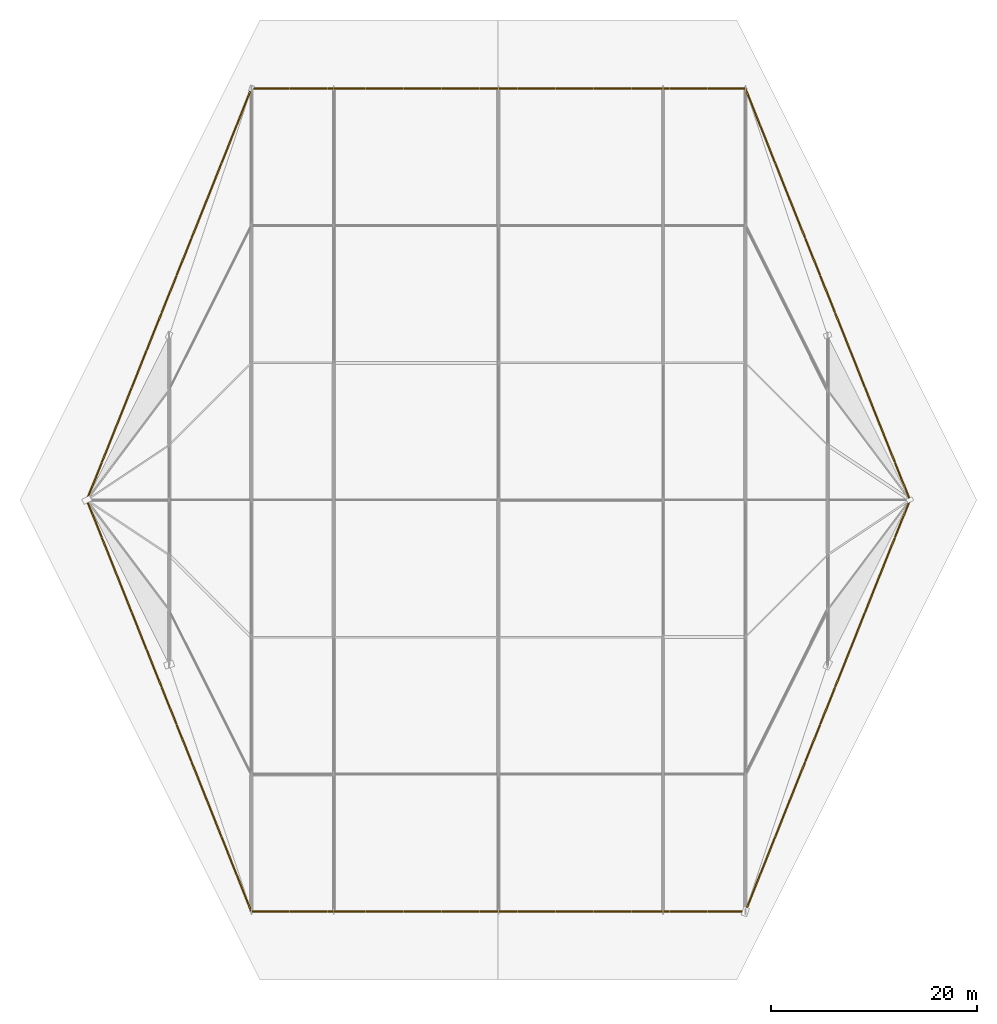
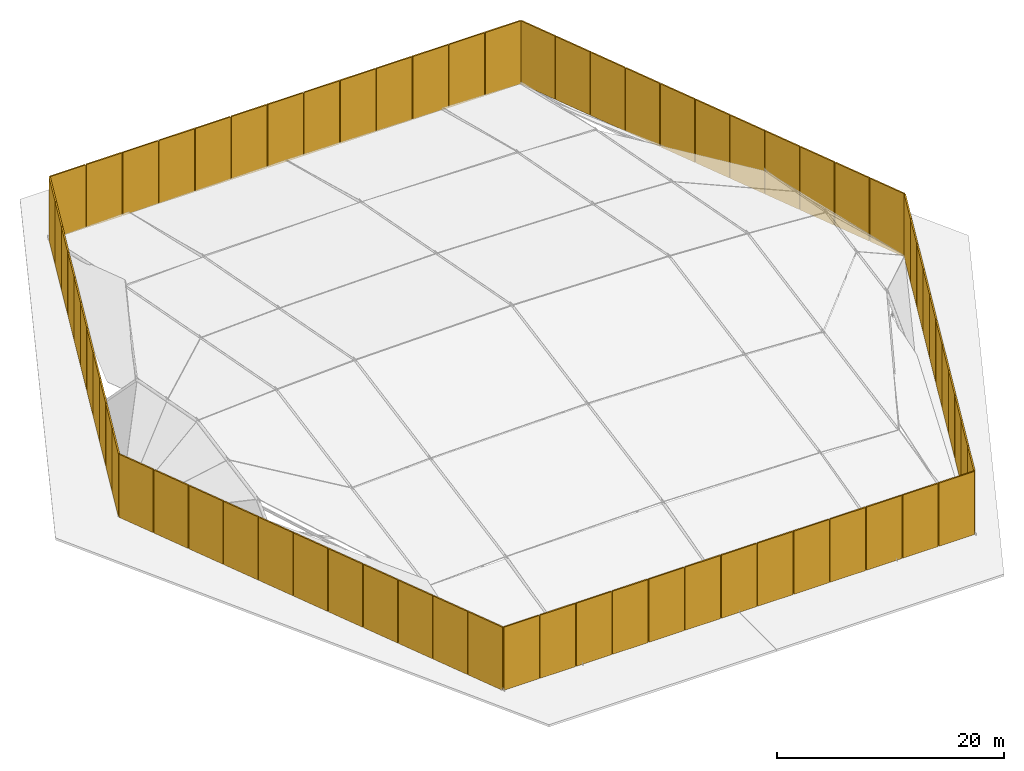
# One storey, part 30 of 30: 70 shading devices.
"""IFC4 building model written with IfcOpenShell, lengths in metres."""

from ifc_helpers import new_model, si_unit, direction, frame, origin, origin_2d, place, context, subcontext, project, spatial, rectangle, extrude, material, type_object, element, save


model = new_model("IFC4")

# Units and contexts
model_context = context("Model", 3, precision=1e-05, world=origin(), true_north=direction((0.0, 1.0)))
body_context = subcontext(model_context, "Body", "Model", "MODEL_VIEW")
ifc_project = project(units=[si_unit("LENGTHUNIT", "METRE"), si_unit("AREAUNIT", "SQUARE_METRE"), si_unit("VOLUMEUNIT", "CUBIC_METRE"), si_unit("PLANEANGLEUNIT", "RADIAN"), si_unit("MASSUNIT", "GRAM", prefix="KILO")], contexts=[model_context])

# Site, building, storey
site_placement = place(None, origin())
site = spatial("IfcSite", under=ifc_project, at=site_placement, CompositionType="ELEMENT")
building_placement = place(site_placement, origin())
building = spatial("IfcBuilding", under=site, at=building_placement, Name="Tazarka Park Arena", CompositionType="ELEMENT")
storey_placement = place(building_placement, frame((0.0, 0.0, 29.39990234375)))
storey = spatial("IfcBuildingStorey", under=building, at=storey_placement, Name="Roof", CompositionType="ELEMENT", Elevation=29.39990234375)

# Shading devices
ifc_material = material(Name="Perforated bronze-charcoal acoustic crown louvre")
shading_device_type = type_object("IfcShadingDeviceType", Name="SHD-03", PredefinedType="JALOUSIE", material=ifc_material)
for number, where, z_axis, x_axis, name in (
    (1, (65.84619140625, 24.0, -0.02001953125), (0.0, 0.0, 1.0), (1.0, 0.0, 0.0), "Crown Acoustic Louvre Screen 1-1"),
    (2, (69.53857421875, 24.0, -0.02001953125), (0.0, 0.0, 1.0), (1.0, 0.0, 0.0), "Crown Acoustic Louvre Screen 1-2"),
    (3, (73.230712890625, 24.0, -0.02001953125), (0.0, 0.0, 1.0), (1.0, 0.0, 0.0), "Crown Acoustic Louvre Screen 1-3"),
    (4, (76.923095703125, 24.0, -0.02001953125), (0.0, 0.0, 1.0), (1.0, 0.0, 0.0), "Crown Acoustic Louvre Screen 1-4"),
    (5, (80.615478515625, 24.0, -0.02001953125), (0.0, 0.0, 1.0), (1.0, 0.0, 0.0), "Crown Acoustic Louvre Screen 1-5"),
    (6, (84.3076171875, 24.0, -0.02001953125), (0.0, 0.0, 1.0), (1.0, 0.0, 0.0), "Crown Acoustic Louvre Screen 1-6"),
    (7, (88.0, 24.0, -0.02001953125), (0.0, 0.0, 1.0), (1.0, 0.0, 0.0), "Crown Acoustic Louvre Screen 1-7"),
    (8, (91.6923828125, 24.0, -0.02001953125), (0.0, 0.0, 1.0), (1.0, 0.0, 0.0), "Crown Acoustic Louvre Screen 1-8"),
    (9, (95.384521484375, 24.0, -0.02001953125), (0.0, 0.0, 1.0), (1.0, 0.0, 0.0), "Crown Acoustic Louvre Screen 1-9"),
    (10, (99.076904296875, 24.0, -0.02001953125), (0.0, 0.0, 1.0), (1.0, 0.0, 0.0), "Crown Acoustic Louvre Screen 1-10"),
    (11, (102.769287109375, 24.0, -0.02001953125), (0.0, 0.0, 1.0), (1.0, 0.0, 0.0), "Crown Acoustic Louvre Screen 1-11"),
    (12, (106.46142578125, 24.0, -0.02001953125), (0.0, 0.0, 1.0), (1.0, 0.0, 0.0), "Crown Acoustic Louvre Screen 1-12"),
    (13, (110.15380859375, 24.0, -0.02001953125), (0.0, 0.0, 1.0), (1.0, 0.0, 0.0), "Crown Acoustic Louvre Screen 1-13"),
):
    element("IfcShadingDevice", number, at=place(storey_placement, frame(where, z_axis=z_axis, x_axis=x_axis)), inside=storey, type_object=shading_device_type, Name=name, PredefinedType="JALOUSIE", context=body_context, shape_type="SweptSolid", body=[
        extrude(rectangle(XDim=3.6123046875, YDim=0.139892578125, at=origin_2d()), origin(), (0.0, 0.0, 1.0), 6.800048828125),
    ])
for number, where, z_axis, x_axis, name in (
    (14, (112.727294921875, 25.818115234375, -0.02001953125), (0.0, 0.0, 1.0), (0.37136783555, 0.928485826881, 0.0), "Crown Acoustic Louvre Screen 2-1"),
    (15, (114.181884765625, 29.45458984375, -0.02001953125), (0.0, 0.0, 1.0), (0.37136783555, 0.928485826881, 0.0), "Crown Acoustic Louvre Screen 2-2"),
    (16, (115.636474609375, 33.0908203125, -0.02001953125), (0.0, 0.0, 1.0), (0.37136783555, 0.928485826881, 0.0), "Crown Acoustic Louvre Screen 2-3"),
    (17, (117.0908203125, 36.727294921875, -0.02001953125), (0.0, 0.0, 1.0), (0.37136783555, 0.928485826881, 0.0), "Crown Acoustic Louvre Screen 2-4"),
    (18, (118.54541015625, 40.363525390625, -0.02001953125), (0.0, 0.0, 1.0), (0.37136783555, 0.928485826881, 0.0), "Crown Acoustic Louvre Screen 2-5"),
    (19, (120.0, 44.0, -0.02001953125), (0.0, 0.0, 1.0), (0.37136783555, 0.928485826881, 0.0), "Crown Acoustic Louvre Screen 2-6"),
    (20, (121.45458984375, 47.636474609375, -0.02001953125), (0.0, 0.0, 1.0), (0.37136783555, 0.928485826881, 0.0), "Crown Acoustic Louvre Screen 2-7"),
    (21, (122.9091796875, 51.272705078125, -0.02001953125), (0.0, 0.0, 1.0), (0.37136783555, 0.928485826881, 0.0), "Crown Acoustic Louvre Screen 2-8"),
    (22, (124.363525390625, 54.9091796875, -0.02001953125), (0.0, 0.0, 1.0), (0.37136783555, 0.928485826881, 0.0), "Crown Acoustic Louvre Screen 2-9"),
    (23, (125.818115234375, 58.54541015625, -0.02001953125), (0.0, 0.0, 1.0), (0.37136783555, 0.928485826881, 0.0), "Crown Acoustic Louvre Screen 2-10"),
    (24, (127.272705078125, 62.181884765625, -0.02001953125), (0.0, 0.0, 1.0), (0.37136783555, 0.928485826881, 0.0), "Crown Acoustic Louvre Screen 2-11"),
    (25, (127.272705078125, 65.818115234375, -0.02001953125), (0.0, 0.0, 1.0), (-0.37136783555, 0.928485826881, 0.0), "Crown Acoustic Louvre Screen 3-1"),
    (26, (125.818115234375, 69.45458984375, -0.02001953125), (0.0, 0.0, 1.0), (-0.37136783555, 0.928485826881, 0.0), "Crown Acoustic Louvre Screen 3-2"),
    (27, (124.363525390625, 73.0908203125, -0.02001953125), (0.0, 0.0, 1.0), (-0.37136783555, 0.928485826881, 0.0), "Crown Acoustic Louvre Screen 3-3"),
    (28, (122.9091796875, 76.727294921875, -0.02001953125), (0.0, 0.0, 1.0), (-0.37136783555, 0.928485826881, 0.0), "Crown Acoustic Louvre Screen 3-4"),
    (29, (121.45458984375, 80.363525390625, -0.02001953125), (0.0, 0.0, 1.0), (-0.37136783555, 0.928485826881, 0.0), "Crown Acoustic Louvre Screen 3-5"),
    (30, (120.0, 84.0, -0.02001953125), (0.0, 0.0, 1.0), (-0.37136783555, 0.928485826881, 0.0), "Crown Acoustic Louvre Screen 3-6"),
    (31, (118.54541015625, 87.636474609375, -0.02001953125), (0.0, 0.0, 1.0), (-0.37136783555, 0.928485826881, 0.0), "Crown Acoustic Louvre Screen 3-7"),
    (32, (117.0908203125, 91.272705078125, -0.02001953125), (0.0, 0.0, 1.0), (-0.37136783555, 0.928485826881, 0.0), "Crown Acoustic Louvre Screen 3-8"),
    (33, (115.636474609375, 94.9091796875, -0.02001953125), (0.0, 0.0, 1.0), (-0.37136783555, 0.928485826881, 0.0), "Crown Acoustic Louvre Screen 3-9"),
    (34, (114.181884765625, 98.54541015625, -0.02001953125), (0.0, 0.0, 1.0), (-0.37136783555, 0.928485826881, 0.0), "Crown Acoustic Louvre Screen 3-10"),
    (35, (112.727294921875, 102.181884765625, -0.02001953125), (0.0, 0.0, 1.0), (-0.37136783555, 0.928485826881, 0.0), "Crown Acoustic Louvre Screen 3-11"),
):
    element("IfcShadingDevice", number, at=place(storey_placement, frame(where, z_axis=z_axis, x_axis=x_axis)), inside=storey, type_object=shading_device_type, Name=name, PredefinedType="JALOUSIE", context=body_context, shape_type="SweptSolid", body=[
        extrude(rectangle(XDim=3.83642578125, YDim=0.139892578125, at=origin_2d()), origin(), (0.0, 0.0, 1.0), 6.800048828125),
    ])
for number, where, z_axis, x_axis, name in (
    (36, (110.15380859375, 104.0, -0.02001953125), (0.0, 0.0, 1.0), (-1.0, 0.0, 0.0), "Crown Acoustic Louvre Screen 4-1"),
    (37, (106.46142578125, 104.0, -0.02001953125), (0.0, 0.0, 1.0), (-1.0, 0.0, 0.0), "Crown Acoustic Louvre Screen 4-2"),
    (38, (102.769287109375, 104.0, -0.02001953125), (0.0, 0.0, 1.0), (-1.0, 0.0, 0.0), "Crown Acoustic Louvre Screen 4-3"),
    (39, (99.076904296875, 104.0, -0.02001953125), (0.0, 0.0, 1.0), (-1.0, 0.0, 0.0), "Crown Acoustic Louvre Screen 4-4"),
    (40, (95.384521484375, 104.0, -0.02001953125), (0.0, 0.0, 1.0), (-1.0, 0.0, 0.0), "Crown Acoustic Louvre Screen 4-5"),
    (41, (91.6923828125, 104.0, -0.02001953125), (0.0, 0.0, 1.0), (-1.0, 0.0, 0.0), "Crown Acoustic Louvre Screen 4-6"),
    (42, (88.0, 104.0, -0.02001953125), (0.0, 0.0, 1.0), (-1.0, 0.0, 0.0), "Crown Acoustic Louvre Screen 4-7"),
    (43, (84.3076171875, 104.0, -0.02001953125), (0.0, 0.0, 1.0), (-1.0, 0.0, 0.0), "Crown Acoustic Louvre Screen 4-8"),
    (44, (80.615478515625, 104.0, -0.02001953125), (0.0, 0.0, 1.0), (-1.0, 0.0, 0.0), "Crown Acoustic Louvre Screen 4-9"),
    (45, (76.923095703125, 104.0, -0.02001953125), (0.0, 0.0, 1.0), (-1.0, 0.0, 0.0), "Crown Acoustic Louvre Screen 4-10"),
    (46, (73.230712890625, 104.0, -0.02001953125), (0.0, 0.0, 1.0), (-1.0, 0.0, 0.0), "Crown Acoustic Louvre Screen 4-11"),
    (47, (69.53857421875, 104.0, -0.02001953125), (0.0, 0.0, 1.0), (-1.0, 0.0, 0.0), "Crown Acoustic Louvre Screen 4-12"),
    (48, (65.84619140625, 104.0, -0.02001953125), (0.0, 0.0, 1.0), (-1.0, 0.0, 0.0), "Crown Acoustic Louvre Screen 4-13"),
):
    element("IfcShadingDevice", number, at=place(storey_placement, frame(where, z_axis=z_axis, x_axis=x_axis)), inside=storey, type_object=shading_device_type, Name=name, PredefinedType="JALOUSIE", context=body_context, shape_type="SweptSolid", body=[
        extrude(rectangle(XDim=3.6123046875, YDim=0.139892578125, at=origin_2d()), origin(), (0.0, 0.0, 1.0), 6.800048828125),
    ])
for number, where, z_axis, x_axis, name in (
    (49, (63.272705078125, 102.181884765625, -0.02001953125), (0.0, 0.0, 1.0), (-0.37136783555, -0.928485826881, 0.0), "Crown Acoustic Louvre Screen 5-1"),
    (50, (61.818115234375, 98.54541015625, -0.02001953125), (0.0, 0.0, 1.0), (-0.37136783555, -0.928485826881, 0.0), "Crown Acoustic Louvre Screen 5-2"),
    (51, (60.363525390625, 94.9091796875, -0.02001953125), (0.0, 0.0, 1.0), (-0.37136783555, -0.928485826881, 0.0), "Crown Acoustic Louvre Screen 5-3"),
    (52, (58.9091796875, 91.272705078125, -0.02001953125), (0.0, 0.0, 1.0), (-0.37136783555, -0.928485826881, 0.0), "Crown Acoustic Louvre Screen 5-4"),
    (53, (57.45458984375, 87.636474609375, -0.02001953125), (0.0, 0.0, 1.0), (-0.37136783555, -0.928485826881, 0.0), "Crown Acoustic Louvre Screen 5-5"),
    (54, (56.0, 84.0, -0.02001953125), (0.0, 0.0, 1.0), (-0.37136783555, -0.928485826881, 0.0), "Crown Acoustic Louvre Screen 5-6"),
    (55, (54.54541015625, 80.363525390625, -0.02001953125), (0.0, 0.0, 1.0), (-0.37136783555, -0.928485826881, 0.0), "Crown Acoustic Louvre Screen 5-7"),
    (56, (53.0908203125, 76.727294921875, -0.02001953125), (0.0, 0.0, 1.0), (-0.37136783555, -0.928485826881, 0.0), "Crown Acoustic Louvre Screen 5-8"),
    (57, (51.636474609375, 73.0908203125, -0.02001953125), (0.0, 0.0, 1.0), (-0.37136783555, -0.928485826881, 0.0), "Crown Acoustic Louvre Screen 5-9"),
    (58, (50.181884765625, 69.45458984375, -0.02001953125), (0.0, 0.0, 1.0), (-0.37136783555, -0.928485826881, 0.0), "Crown Acoustic Louvre Screen 5-10"),
    (59, (48.727294921875, 65.818115234375, -0.02001953125), (0.0, 0.0, 1.0), (-0.37136783555, -0.928485826881, 0.0), "Crown Acoustic Louvre Screen 5-11"),
    (60, (48.727294921875, 62.181884765625, -0.02001953125), (0.0, 0.0, 1.0), (0.37136783555, -0.928485826881, 0.0), "Crown Acoustic Louvre Screen 6-1"),
    (61, (50.181884765625, 58.54541015625, -0.02001953125), (0.0, 0.0, 1.0), (0.37136783555, -0.928485826881, 0.0), "Crown Acoustic Louvre Screen 6-2"),
    (62, (51.636474609375, 54.9091796875, -0.02001953125), (0.0, 0.0, 1.0), (0.37136783555, -0.928485826881, 0.0), "Crown Acoustic Louvre Screen 6-3"),
    (63, (53.0908203125, 51.272705078125, -0.02001953125), (0.0, 0.0, 1.0), (0.37136783555, -0.928485826881, 0.0), "Crown Acoustic Louvre Screen 6-4"),
    (64, (54.54541015625, 47.636474609375, -0.02001953125), (0.0, 0.0, 1.0), (0.37136783555, -0.928485826881, 0.0), "Crown Acoustic Louvre Screen 6-5"),
    (65, (56.0, 44.0, -0.02001953125), (0.0, 0.0, 1.0), (0.37136783555, -0.928485826881, 0.0), "Crown Acoustic Louvre Screen 6-6"),
    (66, (57.45458984375, 40.363525390625, -0.02001953125), (0.0, 0.0, 1.0), (0.37136783555, -0.928485826881, 0.0), "Crown Acoustic Louvre Screen 6-7"),
    (67, (58.9091796875, 36.727294921875, -0.02001953125), (0.0, 0.0, 1.0), (0.37136783555, -0.928485826881, 0.0), "Crown Acoustic Louvre Screen 6-8"),
    (68, (60.363525390625, 33.0908203125, -0.02001953125), (0.0, 0.0, 1.0), (0.37136783555, -0.928485826881, 0.0), "Crown Acoustic Louvre Screen 6-9"),
    (69, (61.818115234375, 29.45458984375, -0.02001953125), (0.0, 0.0, 1.0), (0.37136783555, -0.928485826881, 0.0), "Crown Acoustic Louvre Screen 6-10"),
    (70, (63.272705078125, 25.818115234375, -0.02001953125), (0.0, 0.0, 1.0), (0.37136783555, -0.928485826881, 0.0), "Crown Acoustic Louvre Screen 6-11"),
):
    element("IfcShadingDevice", number, at=place(storey_placement, frame(where, z_axis=z_axis, x_axis=x_axis)), inside=storey, type_object=shading_device_type, Name=name, PredefinedType="JALOUSIE", context=body_context, shape_type="SweptSolid", body=[
        extrude(rectangle(XDim=3.83642578125, YDim=0.139892578125, at=origin_2d()), origin(), (0.0, 0.0, 1.0), 6.800048828125),
    ])

save(model, "model.ifc")
